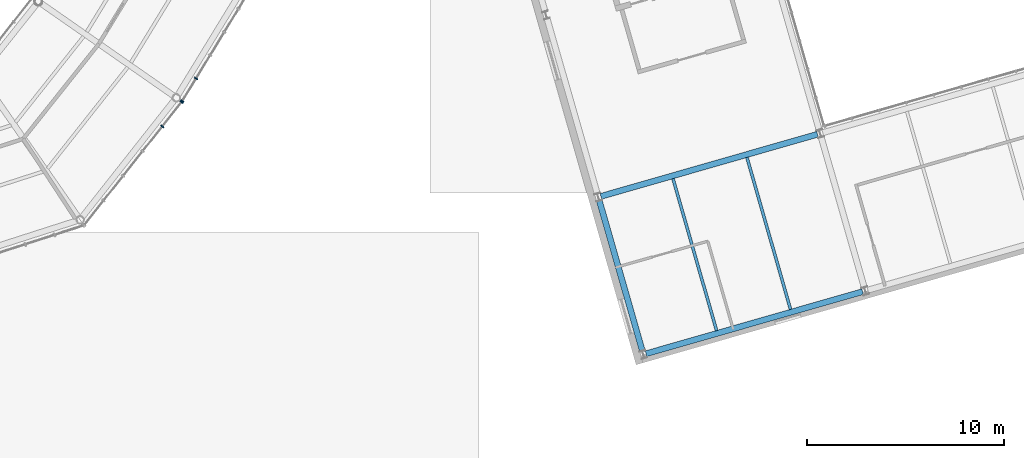
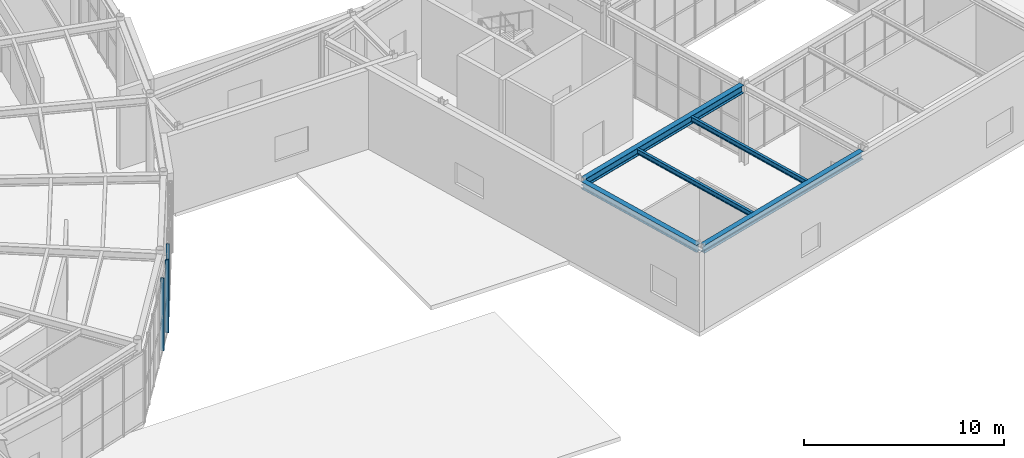
# One storey, part 30 of 97: 5 beams, 4 members, 2 elements without a shape of their own.
"""IFC4 building model written with IfcOpenShell, lengths in metres."""

from ifc_helpers import new_model, si_unit, direction, frame, origin, origin_2d, place, context, subcontext, project, spatial, rectangle, i_section, extrude, material, material_profile, profile_set, type_object, element, aggregate, save


model = new_model("IFC4")

# Units and contexts
model_context = context("Model", 3, precision=1e-05, world=origin(), true_north=direction((0.0, 1.0)))
body_context = subcontext(model_context, "Body", "Model", "MODEL_VIEW")
ifc_project = project(units=[si_unit("LENGTHUNIT", "METRE"), si_unit("AREAUNIT", "SQUARE_METRE"), si_unit("VOLUMEUNIT", "CUBIC_METRE"), si_unit("PLANEANGLEUNIT", "RADIAN"), si_unit("MASSUNIT", "GRAM", prefix="KILO")], contexts=[model_context])

# Site, building, storey
site_placement = place(None, origin())
site = spatial("IfcSite", under=ifc_project, at=site_placement, CompositionType="ELEMENT")
building_placement = place(site_placement, origin())
building = spatial("IfcBuilding", under=site, at=building_placement, Name="Varnklinge Art Gallery", CompositionType="ELEMENT")
storey_placement = place(building_placement, origin())
storey = spatial("IfcBuildingStorey", under=building, at=storey_placement, Name="L00", CompositionType="ELEMENT", Elevation=0.0)

# Beams
ifc_material_1 = material(Name="Steel S355", Category="steel")
ifc_material_profile_1 = material_profile(ifc_material_1, i_section(OverallWidth=0.300048828125, OverallDepth=0.489990234375, WebThickness=0.011962890625, FlangeThickness=0.02294921875, FilletRadius=0.027099609375, at=origin_2d()), Name="HEA 500")
ifc_profile_set_1 = profile_set([ifc_material_profile_1], Name="Steel S355")
beam_type_1 = type_object("IfcBeamType", Name="BM-07", PredefinedType="BEAM", material=ifc_profile_set_1)
for number, where, z_axis, x_axis, name in (
    (1, (124.962158203125, 9.8466796875, 4.635009765625), (0.961262939416, 0.275633019257, 0.0), (-0.275633019257, 0.961262939416, 0.0), "L00 BM-07 BM-V6-L01-U0-0"),
    (2, (122.67431640625, 17.8251953125, 4.635009765625), (0.961262939416, 0.275633019257, 0.0), (-0.275633019257, 0.961262939416, 0.0), "L00 BM-07 BM-V6-L01-U1-0"),
):
    element("IfcBeam", number, at=place(storey_placement, frame(where, z_axis=z_axis, x_axis=x_axis)), inside=storey, type_object=beam_type_1, Name=name, PredefinedType="BEAM", context=body_context, shape_type="SweptSolid", body=[
        extrude(i_section(OverallWidth=0.300048828125, OverallDepth=0.489990234375, WebThickness=0.011962890625, FlangeThickness=0.02294921875, FilletRadius=0.027099609375, at=origin_2d()), origin(), (0.0, 0.0, 1.0), 11.419921875),
    ])
ifc_material_2 = material(Name="Steel S355", Category="steel")
ifc_material_profile_2 = material_profile(ifc_material_2, i_section(OverallWidth=0.300048828125, OverallDepth=0.43994140625, WebThickness=0.011474609375, FlangeThickness=0.02099609375, FilletRadius=0.027099609375, at=origin_2d()), Name="HEA 450")
ifc_profile_set_2 = profile_set([ifc_material_profile_2], Name="Steel S355")
beam_type_2 = type_object("IfcBeamType", Name="BM-08", PredefinedType="BEAM", material=ifc_profile_set_2)
beam_1_placement = place(storey_placement, frame((124.788818359375, 9.94287109375, 4.659912109375), z_axis=(-0.275621630307, 0.961266205016, 0.0), x_axis=(-0.961266205016, -0.275621630307, 0.0)))
element("IfcBeam", 3, at=beam_1_placement, inside=storey, type_object=beam_type_2, Name="L00 BM-08 BM-V6-L01-V0-0", PredefinedType="BEAM", context=body_context, shape_type="SweptSolid", body=[
    extrude(i_section(OverallWidth=0.300048828125, OverallDepth=0.43994140625, WebThickness=0.011474609375, FlangeThickness=0.02099609375, FilletRadius=0.027099609375, at=origin_2d()), origin(), (0.0, 0.0, 1.0), 8.019775390625),
])
ifc_material_3 = material(Name="Steel S355", Category="steel")
ifc_material_profile_3 = material_profile(ifc_material_3, i_section(OverallWidth=0.14990234375, OverallDepth=0.300048828125, WebThickness=0.007080078125, FlangeThickness=0.0107421875, FilletRadius=0.014892578125, at=origin_2d()), Name="IPE 300")
ifc_profile_set_3 = profile_set([ifc_material_profile_3], Name="Steel S355")
beam_type_3 = type_object("IfcBeamType", Name="JST-08", PredefinedType="JOIST", material=ifc_profile_set_3)
beam_2_placement = place(storey_placement, frame((128.537841796875, 11.017578125, 4.72998046875), z_axis=(-0.2756416934, 0.961260452146, 0.0), x_axis=(-0.961260452146, -0.2756416934, 0.0)))
element("IfcBeam", 4, at=beam_2_placement, inside=storey, type_object=beam_type_3, Name="L00 JST-08 JST-V6-L01-0-0-1", PredefinedType="JOIST", context=body_context, shape_type="SweptSolid", body=[
    extrude(i_section(OverallWidth=0.14990234375, OverallDepth=0.300048828125, WebThickness=0.007080078125, FlangeThickness=0.0107421875, FilletRadius=0.014892578125, at=origin_2d()), origin(), (0.0, 0.0, 1.0), 8.020263671875),
])
beam_3_placement = place(storey_placement, frame((132.286865234375, 12.0927734375, 4.72998046875), z_axis=(-0.275649759333, 0.961258139201, 0.0), x_axis=(-0.961258139201, -0.275649759333, 0.0)))
element("IfcBeam", 5, at=beam_3_placement, inside=storey, type_object=beam_type_3, Name="L00 JST-08 JST-V6-L01-0-0-2", PredefinedType="JOIST", context=body_context, shape_type="SweptSolid", body=[
    extrude(i_section(OverallWidth=0.14990234375, OverallDepth=0.300048828125, WebThickness=0.007080078125, FlangeThickness=0.0107421875, FilletRadius=0.014892578125, at=origin_2d()), origin(), (0.0, 0.0, 1.0), 8.02001953125),
])

# Curtain wall, members
ifc_material_4 = material(Name="Anodised Aluminium", Category="aluminium")
curtain_wall_type = type_object("IfcCurtainWallType", Name="CW-R01", PredefinedType="USERDEFINED", material=ifc_material_4)
curtain_wall_1_placement = place(storey_placement, origin())
curtain_wall_1 = element("IfcCurtainWall", 6, at=curtain_wall_1_placement, inside=storey, type_object=curtain_wall_type, Name="L00 Curtain Wall CW-V2O-L00-01", ObjectType="UNITISED CURTAIN WALL", PredefinedType="USERDEFINED")
ifc_material_5 = material(Name="Anodised Aluminium", Category="aluminium")
ifc_material_profile_4 = material_profile(ifc_material_5, rectangle(XDim=0.06494140625, YDim=0.179931640625, at=origin_2d()), Name="ALU 65x180")
ifc_profile_set_4 = profile_set([ifc_material_profile_4], Name="Anodised Aluminium")
member_type = type_object("IfcMemberType", Name="MUL-01", PredefinedType="MULLION", material=ifc_profile_set_4)
member_1_placement = place(storey_placement, frame((100.443603515625, 21.37060546875, 0.0), z_axis=(0.0, 0.0, 1.0), x_axis=(0.620737354217, 0.784018582101, 0.0)))
member_1 = element("IfcMember", 7, at=member_1_placement, type_object=member_type, Name="CW-V2O-L00-01 Mullion 5", PredefinedType="MULLION", context=body_context, shape_type="SweptSolid", body=[
    extrude(rectangle(XDim=0.06494140625, YDim=0.179931640625, at=origin_2d()), origin(), (0.0, 0.0, 1.0), 4.429931640625),
])
member_2_placement = place(storey_placement, frame((101.416748046875, 22.599609375, 0.0), z_axis=(0.0, 0.0, 1.0), x_axis=(0.620737354217, 0.784018582101, 0.0)))
member_2 = element("IfcMember", 8, at=member_2_placement, type_object=member_type, Name="CW-V2O-L00-01 Mullion 6", PredefinedType="MULLION", context=body_context, shape_type="SweptSolid", body=[
    extrude(rectangle(XDim=0.06494140625, YDim=0.179931640625, at=origin_2d()), origin(), (0.0, 0.0, 1.0), 4.429931640625),
])
aggregate(curtain_wall_1, [member_1, member_2])

curtain_wall_2_placement = place(storey_placement, origin())
curtain_wall_2 = element("IfcCurtainWall", 9, at=curtain_wall_2_placement, inside=storey, type_object=curtain_wall_type, Name="L00 Curtain Wall CW-V2O-L00-02", ObjectType="UNITISED CURTAIN WALL", PredefinedType="USERDEFINED")
member_3_placement = place(storey_placement, frame((101.453857421875, 22.652587890625, 0.0), z_axis=(0.0, 0.0, 1.0), x_axis=(0.520860651188, 0.85364171761, 0.0)))
member_3 = element("IfcMember", 10, at=member_3_placement, type_object=member_type, Name="CW-V2O-L00-02 Mullion 1", PredefinedType="MULLION", context=body_context, shape_type="SweptSolid", body=[
    extrude(rectangle(XDim=0.06494140625, YDim=0.179931640625, at=origin_2d()), origin(), (0.0, 0.0, 1.0), 4.429931640625),
])
member_4_placement = place(storey_placement, frame((102.15478515625, 23.801025390625, 0.0), z_axis=(0.0, 0.0, 1.0), x_axis=(0.520860651188, 0.85364171761, 0.0)))
member_4 = element("IfcMember", 11, at=member_4_placement, type_object=member_type, Name="CW-V2O-L00-02 Mullion 2", PredefinedType="MULLION", context=body_context, shape_type="SweptSolid", body=[
    extrude(rectangle(XDim=0.06494140625, YDim=0.179931640625, at=origin_2d()), origin(), (0.0, 0.0, 1.0), 4.429931640625),
])
aggregate(curtain_wall_2, [member_3, member_4])

save(model, "model.ifc")
